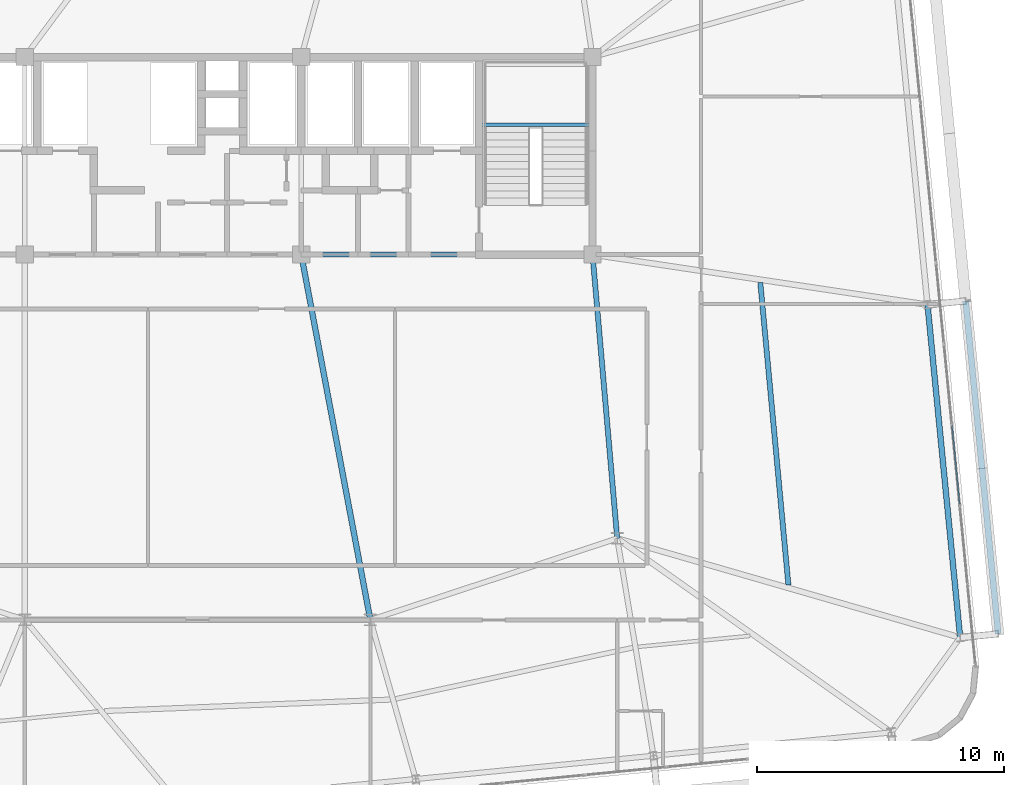
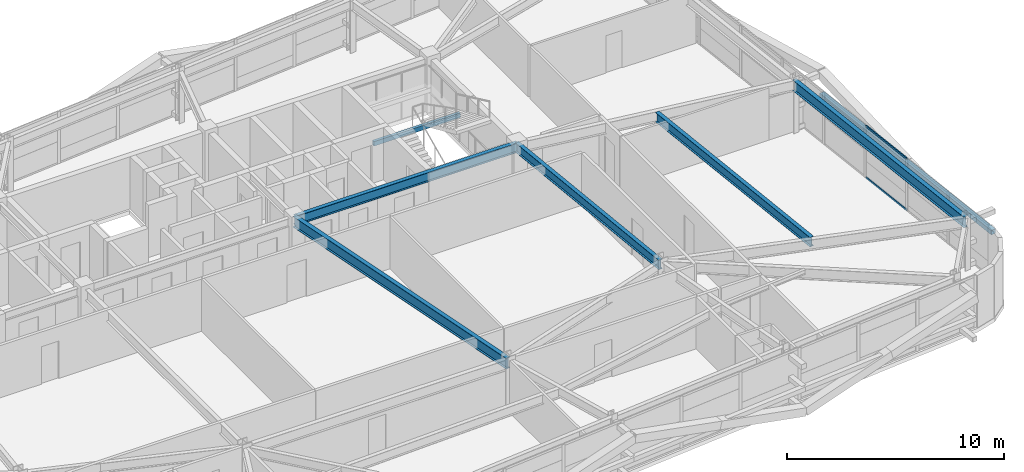
# One storey, part 23 of 53: 6 beams, 3 members, 1 element without a shape of its own.
"""IFC4 building model written with IfcOpenShell, lengths in metres."""

from ifc_helpers import new_model, si_unit, direction, frame, origin, origin_2d, place, context, subcontext, project, spatial, hollow_rectangle, i_section, extrude, source, transform, mapped, material, layer, layer_set, material_profile, profile_set, type_object, element, aggregate, save


model = new_model("IFC4")

# Units and contexts
model_context = context("Model", 3, precision=1e-05, world=origin(), true_north=direction((0.0, 1.0)))
body_context = subcontext(model_context, "Body", "Model", "MODEL_VIEW")
ifc_project = project(units=[si_unit("LENGTHUNIT", "METRE"), si_unit("AREAUNIT", "SQUARE_METRE"), si_unit("VOLUMEUNIT", "CUBIC_METRE"), si_unit("PLANEANGLEUNIT", "RADIAN"), si_unit("MASSUNIT", "GRAM", prefix="KILO")], contexts=[model_context])

# Site, building, storey
site_placement = place(None, origin())
site = spatial("IfcSite", under=ifc_project, at=site_placement, CompositionType="ELEMENT")
building_placement = place(site_placement, origin())
building = spatial("IfcBuilding", under=site, at=building_placement, Name="Taldren Reach Tower", CompositionType="ELEMENT")
storey_placement = place(building_placement, frame((0.0, 0.0, 80.85009765625)))
storey = spatial("IfcBuildingStorey", under=building, at=storey_placement, Name="L24", CompositionType="ELEMENT", Elevation=80.85009765625)

# Beams
ifc_material_1 = material(Name="Steel Gr 350 (350PLUS)", Category="steel")
ifc_material_profile_1 = material_profile(ifc_material_1, i_section(OverallWidth=0.208984375, OverallDepth=0.532958984375, WebThickness=0.01025390625, FlangeThickness=0.015625, at=origin_2d()), Name="530UB92.4")
ifc_profile_set_1 = profile_set([ifc_material_profile_1], Name="Steel Gr 350 (350PLUS)")
beam_type_1 = type_object("IfcBeamType", Name="BM-UB530A", PredefinedType="BEAM", material=ifc_profile_set_1)
shared_shape_1 = source(origin(), body_context, "Body", "SweptSolid", [
    extrude(i_section(OverallWidth=0.208984375, OverallDepth=0.532958984375, WebThickness=0.01025390625, FlangeThickness=0.015625, at=origin_2d()), origin(), (0.0, 0.0, 1.0), 11.800048828125),
])
beam_1_placement = place(storey_placement, frame((39.199951171875, 24.0, 2.663330078125), z_axis=(1.0, 0.0, 0.0), x_axis=(0.0, 1.0, 0.0)))
element("IfcBeam", 1, at=beam_1_placement, inside=storey, type_object=beam_type_1, Name="Core-spine girder L24-SP03", PredefinedType="BEAM", context=body_context, shape_type="MappedRepresentation", body=[
    mapped(shared_shape_1, transform((0.0, 0.0, 0.0), scale=1.0)),
])
shared_shape_2 = source(origin(), body_context, "Body", "SweptSolid", [
    extrude(i_section(OverallWidth=0.208984375, OverallDepth=0.532958984375, WebThickness=0.01025390625, FlangeThickness=0.015625, at=origin_2d()), origin(), (0.0, 0.0, 1.0), 11.54345703125),
])
beam_2_placement = place(storey_placement, frame((52.0, 12.5, 2.663330078125), z_axis=(-0.086629616365, 0.996240588196, 0.0), x_axis=(-0.996240588196, -0.086629616365, 0.0)))
element("IfcBeam", 2, at=beam_2_placement, inside=storey, type_object=beam_type_1, Name="Core-spine girder L24-SP13", PredefinedType="BEAM", context=body_context, shape_type="MappedRepresentation", body=[
    mapped(shared_shape_2, transform((0.0, 0.0, 0.0), scale=1.0)),
])
ifc_material_profile_2 = material_profile(ifc_material_1, i_section(OverallWidth=0.22802734375, OverallDepth=0.60205078125, WebThickness=0.010498046875, FlangeThickness=0.014892578125, at=origin_2d()), Name="610UB101")
ifc_profile_set_2 = profile_set([ifc_material_profile_2], Name="Steel Gr 350 (350PLUS)")
beam_type_2 = type_object("IfcBeamType", Name="BM-UB610B", PredefinedType="BEAM", material=ifc_profile_set_2)
shared_shape_3 = source(origin(), body_context, "Body", "SweptSolid", [
    extrude(i_section(OverallWidth=0.22802734375, OverallDepth=0.60205078125, WebThickness=0.010498046875, FlangeThickness=0.014892578125, at=origin_2d()), origin(), (0.0, 0.0, 1.0), 15.0625),
])
beam_3_placement = place(storey_placement, frame((39.199951171875, 24.0, 2.62890625), z_axis=(0.185894205668, -0.982569765614, 0.0), x_axis=(0.982569765614, 0.185894205668, 0.0)))
element("IfcBeam", 3, at=beam_3_placement, inside=storey, type_object=beam_type_2, Name="Core-spine girder L24-SP15", PredefinedType="BEAM", context=body_context, shape_type="MappedRepresentation", body=[
    mapped(shared_shape_3, transform((0.0, 0.0, 0.0), scale=1.0)),
])
shared_shape_4 = source(origin(), body_context, "Body", "SweptSolid", [
    extrude(i_section(OverallWidth=0.22802734375, OverallDepth=0.60205078125, WebThickness=0.010498046875, FlangeThickness=0.014892578125, at=origin_2d()), origin(), (0.0, 0.0, 1.0), 13.550048828125),
])
beam_4_placement = place(storey_placement, frame((65.8916015625, 8.483642578125, 2.62890625), z_axis=(-0.097566175139, 0.995229039703, 0.0), x_axis=(-0.995229039703, -0.097566175139, 0.0)))
element("IfcBeam", 4, at=beam_4_placement, inside=storey, type_object=beam_type_2, Name="Perimeter gable girder B2 E1-E2 L24", PredefinedType="BEAM", context=body_context, shape_type="MappedRepresentation", body=[
    mapped(shared_shape_4, transform((0.0, 0.0, 0.0), scale=1.0)),
])
shared_shape_5 = source(origin(), body_context, "Body", "SweptSolid", [
    extrude(i_section(OverallWidth=0.208984375, OverallDepth=0.532958984375, WebThickness=0.01025390625, FlangeThickness=0.015625, at=origin_2d()), origin(), (0.0, 0.0, 1.0), 12.306396484375),
])
beam_5_placement = place(storey_placement, frame((58.9345703125, 10.61376953125, 2.663330078125), z_axis=(-0.092546068089, 0.995708403741, 0.0), x_axis=(-0.995708403741, -0.092546068089, 0.0)))
element("IfcBeam", 5, at=beam_5_placement, inside=storey, type_object=beam_type_1, Name="Secondary floor beam B2 J7 L24", PredefinedType="BEAM", context=body_context, shape_type="MappedRepresentation", body=[
    mapped(shared_shape_5, transform((0.0, 0.0, 0.0), scale=1.0)),
])

# Member
ifc_material_2 = material(Name="Steel Gr 350 (C350L0)", Category="steel")
ifc_material_profile_3 = material_profile(ifc_material_2, hollow_rectangle(XDim=0.25, YDim=0.25, WallThickness=0.010009765625, at=origin_2d()), Name="250x250x10.0SHS")
ifc_profile_set_3 = profile_set([ifc_material_profile_3], Name="Steel Gr 350 (C350L0)")
member_type_1 = type_object("IfcMemberType", Name="MB-POST250", PredefinedType="POST", material=ifc_profile_set_3)
shared_shape_6 = source(origin(), body_context, "Body", "SweptSolid", [
    extrude(hollow_rectangle(XDim=0.25, YDim=0.25, WallThickness=0.010009765625, at=origin_2d()), origin(), (0.0, 0.0, 1.0), 13.550048828125),
])
member_1_placement = place(storey_placement, frame((67.434326171875, 8.634765625, 1.434814453125), z_axis=(-0.097584021339, 0.995227290009, 0.0), x_axis=(-0.995227290009, -0.097584021339, 0.0)))
element("IfcMember", 6, at=member_1_placement, inside=storey, type_object=member_type_1, Name="Exoskeleton mid-height ring chord B2-E1 L24", PredefinedType="POST", context=body_context, shape_type="MappedRepresentation", body=[
    mapped(shared_shape_6, transform((0.0, 0.0, 0.0), scale=1.0)),
])

# Curtain wall, members
ifc_material_3 = material(Name="Aluminium and Low-E Glass Unitised System", Category="aluminium")
ifc_layer = layer(ifc_material_3, 0.159912109375)
ifc_layer_set = layer_set([ifc_layer], Name="Aluminium and Low-E Glass Unitised System")
curtain_wall_type = type_object("IfcCurtainWallType", Name="CW-SYS-3", PredefinedType="NOTDEFINED", material=ifc_layer_set)
curtain_wall_placement = place(storey_placement, origin())
curtain_wall = element("IfcCurtainWall", 7, at=curtain_wall_placement, inside=storey, type_object=curtain_wall_type, Name="Unitised curtain wall CW-L24-E", PredefinedType="NOTDEFINED")
ifc_material_4 = material(Name="Anodised Aluminium 6063-T6", Category="aluminium")
ifc_material_profile_4 = material_profile(ifc_material_4, hollow_rectangle(XDim=0.054931640625, YDim=0.1201171875, WallThickness=0.0029296875, at=origin_2d()), Name="ALU-120x55x3RHS")
ifc_profile_set_4 = profile_set([ifc_material_profile_4], Name="Anodised Aluminium 6063-T6")
member_type_2 = type_object("IfcMemberType", Name="CW-TRN-135", PredefinedType="USERDEFINED", material=ifc_profile_set_4)
shared_shape_7 = source(origin(), body_context, "Body", "SweptSolid", [
    extrude(hollow_rectangle(XDim=0.054931640625, YDim=0.1201171875, WallThickness=0.0029296875, at=origin_2d()), origin(), (0.0, 0.0, 1.0), 3.212646484375),
])
member_2_placement = place(storey_placement, frame((65.87353515625, 13.895751953125, 0.02734375), z_axis=(-0.097577327663, 0.995227946315, 0.0), x_axis=(-0.995227946315, -0.097577327663, 0.0)))
member_2 = element("IfcMember", 8, at=member_2_placement, type_object=member_type_2, Name="CW-3 transom 3.1", ObjectType="TRANSOM", PredefinedType="USERDEFINED", context=body_context, shape_type="MappedRepresentation", body=[
    mapped(shared_shape_7, transform((0.0, 0.0, 0.0), scale=1.0)),
])
member_3_placement = place(storey_placement, frame((65.87353515625, 13.895751953125, 2.90234375), z_axis=(-0.097577327663, 0.995227946315, 0.0), x_axis=(-0.995227946315, -0.097577327663, 0.0)))
member_3 = element("IfcMember", 9, at=member_3_placement, type_object=member_type_2, Name="CW-3 transom 3.2", ObjectType="TRANSOM", PredefinedType="USERDEFINED", context=body_context, shape_type="MappedRepresentation", body=[
    mapped(shared_shape_7, transform((0.0, 0.0, 0.0), scale=1.0)),
])
aggregate(curtain_wall, [member_2, member_3])

# Beam
ifc_material_profile_5 = material_profile(ifc_material_2, hollow_rectangle(XDim=0.14990234375, YDim=0.25, WallThickness=0.009033203125, at=origin_2d()), Name="250x150x9.0RHS")
ifc_profile_set_5 = profile_set([ifc_material_profile_5], Name="Steel Gr 350 (C350L0)")
beam_type_3 = type_object("IfcBeamType", Name="LN-RHS250", PredefinedType="LINTEL", material=ifc_profile_set_5)
shared_shape_8 = source(origin(), body_context, "Body", "SweptSolid", [
    extrude(hollow_rectangle(XDim=0.14990234375, YDim=0.25, WallThickness=0.009033203125, at=origin_2d()), origin(), (0.0, 0.0, 1.0), 4.60009765625),
])
beam_6_placement = place(storey_placement, frame((46.39990234375, 29.2548828125, 1.27001953125), z_axis=(1.0, 0.0, 0.0), x_axis=(0.0, 1.0, 0.0)))
element("IfcBeam", 10, at=beam_6_placement, inside=storey, type_object=beam_type_3, Name="Stair half-landing support beam ST2-L24-1", PredefinedType="LINTEL", context=body_context, shape_type="MappedRepresentation", body=[
    mapped(shared_shape_8, transform((0.0, 0.0, 0.0), scale=1.0)),
])

save(model, "model.ifc")
